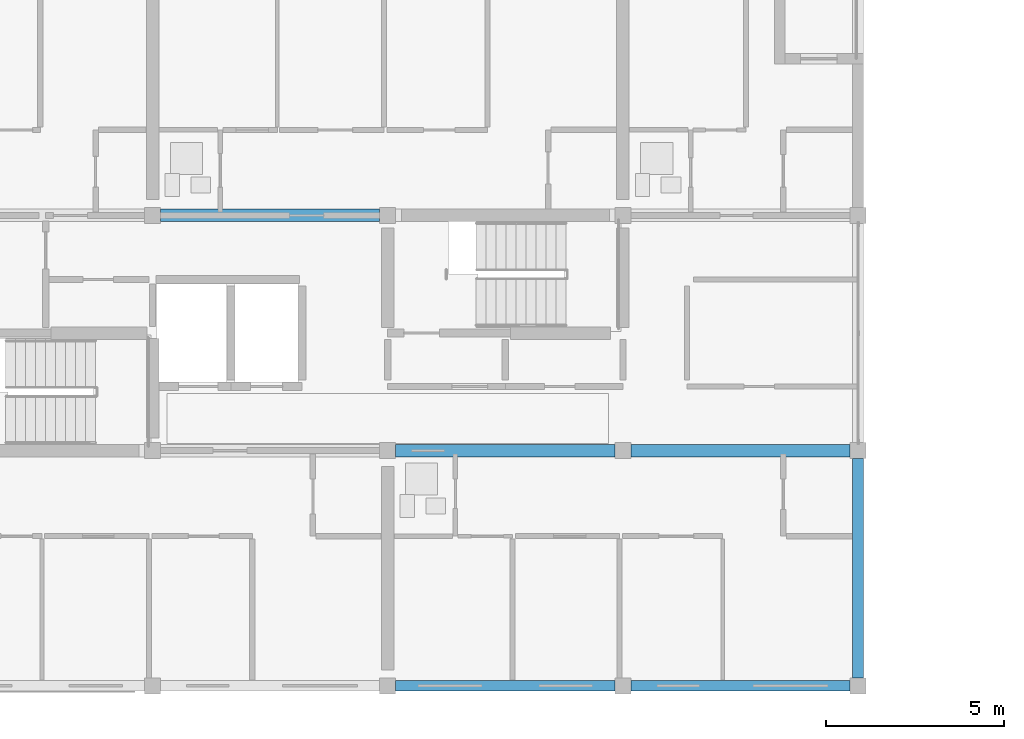
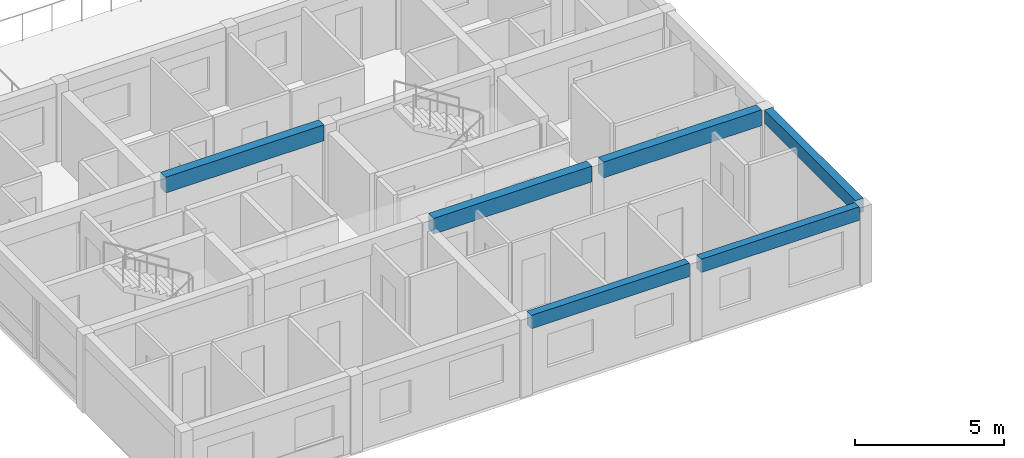
# One storey, part 6 of 51: 6 beams.
"""IFC4 building model written with IfcOpenShell, lengths in metres."""

import ifcopenshell
import ifcopenshell.guid

model = None  # the IFC model being written
_history = None  # IfcOwnerHistory: only IFC2X3 demands one
_inside = {}  # id of a spatial element -> (the spatial element, [elements in it])
_under = {}  # id of a project, library or spatial element -> (it, [spatial elements below it])
_declared = {}  # id of a project -> (the project, [libraries it declares])
_typed = {}  # id of a type object -> (the type object, [elements of that type])
_made_of = {}  # id of a material, layer set ... -> (it, [elements and type objects made of it])


def new_model(schema):
    """Start an empty IFC model of exactly this schema.

    Asked for "IFC4X3", IfcOpenShell would pick the latest addendum, in which some entities
    have other attributes; the version numbers below select the first issue.
    IFC2X3 requires an IfcOwnerHistory on every rooted entity: one is made here for all.
    """
    global model, _history
    if schema == "IFC4X3":
        model = ifcopenshell.file(schema_version=(4, 3, 0, 0))
    else:
        model = ifcopenshell.file(schema=schema)
    _inside.clear()
    _under.clear()
    _declared.clear()
    _typed.clear()
    _made_of.clear()
    _history = None
    if model.schema == "IFC2X3":
        org = make("IfcOrganization", Name="unknown")
        user = make(
            "IfcPersonAndOrganization",
            ThePerson=make("IfcPerson", FamilyName="unknown"),
            TheOrganization=org,
        )
        app = make(
            "IfcApplication",
            ApplicationDeveloper=org,
            Version="unknown",
            ApplicationFullName="unknown",
            ApplicationIdentifier="unknown",
        )
        _history = make(
            "IfcOwnerHistory",
            OwningUser=user,
            OwningApplication=app,
            ChangeAction="ADDED",
            CreationDate=0,
        )
    return model


def make(cls, **values):
    """One entity of the class cls with the attributes given. An attribute that is None is left unset."""
    return model.create_entity(
        cls, **{name: value for name, value in values.items() if value is not None}
    )


def rooted(cls, **values):
    """An entity with a GlobalId (a new one), such as an element, a storey or a relation."""
    return make(cls, GlobalId=ifcopenshell.guid.new(), OwnerHistory=_history, **values)


def si_unit(unit_type, name, prefix=None):
    """IfcSIUnit, for example si_unit("LENGTHUNIT", "METRE", prefix="MILLI")."""
    return make("IfcSIUnit", UnitType=unit_type, Prefix=prefix, Name=name)


def assignment(units):
    """IfcUnitAssignment: the units of a project."""
    return None if units is None else make("IfcUnitAssignment", Units=units)


def point(xyz):
    """IfcCartesianPoint."""
    return None if xyz is None else make("IfcCartesianPoint", Coordinates=xyz)


def direction(xyz):
    """IfcDirection."""
    return None if xyz is None else make("IfcDirection", DirectionRatios=xyz)


def frame(location, z_axis=None, x_axis=None):
    """IfcAxis2Placement3D, a coordinate frame: its origin and axes. An axis left out is left unset."""
    return make(
        "IfcAxis2Placement3D",
        Location=point(location),
        Axis=direction(z_axis),
        RefDirection=direction(x_axis),
    )


def frame_2d(location, x_axis=None):
    """IfcAxis2Placement2D, a coordinate frame in the plane: its origin and x axis."""
    return make(
        "IfcAxis2Placement2D", Location=point(location), RefDirection=direction(x_axis)
    )


def origin():
    """The frame at (0, 0, 0) with its axes left unset."""
    return frame((0.0, 0.0, 0.0))


def origin_2d():
    """The frame at (0, 0) in the plane with its x axis left unset."""
    return frame_2d((0.0, 0.0))


def place(relative_to, where):
    """IfcLocalPlacement: puts the frame where relative to a parent placement (None: the world)."""
    return make(
        "IfcLocalPlacement", PlacementRelTo=relative_to, RelativePlacement=where
    )


def context(
    kind, dimensions, precision=None, world=None, true_north=None, identifier=None
):
    """IfcGeometricRepresentationContext, for example the 3D "Model" context."""
    return make(
        "IfcGeometricRepresentationContext",
        ContextIdentifier=identifier,
        ContextType=kind,
        CoordinateSpaceDimension=dimensions,
        Precision=precision,
        WorldCoordinateSystem=world,
        TrueNorth=true_north,
    )


def subcontext(parent, identifier, kind, view, scale=None):
    """IfcGeometricRepresentationSubContext, for example "Body" below "Model"."""
    return make(
        "IfcGeometricRepresentationSubContext",
        ContextIdentifier=identifier,
        ContextType=kind,
        ParentContext=parent,
        TargetScale=scale,
        TargetView=view,
    )


def project(units=None, contexts=None):
    """IfcProject with its units and contexts."""
    return rooted(
        "IfcProject",
        Name="project",
        RepresentationContexts=contexts,
        UnitsInContext=assignment(units),
    )


def spatial(cls, under=None, at=None, **own):
    """A site, building, storey or space (cls), placed at a placement, below another one or the project."""
    s = rooted(cls, ObjectPlacement=at, **own)
    if under is not None:
        _under.setdefault(under.id(), (under, []))[1].append(s)
    return s


def profile(cls, at=None, kind="AREA", **sizes):
    """A parametric profile (cls). Its sizes go by their IFC names, for example OverallWidth=200.0."""
    return make(cls, ProfileType=kind, Position=at, **sizes)


def rectangle(**sizes):
    """IfcRectangleProfileDef."""
    return profile("IfcRectangleProfileDef", **sizes)


def extrude(swept, where, along, depth):
    """IfcExtrudedAreaSolid: the profile swept, set in the frame where, extruded along a direction by depth."""
    return make(
        "IfcExtrudedAreaSolid",
        SweptArea=swept,
        Position=where,
        ExtrudedDirection=direction(along),
        Depth=depth,
    )


def shape(context_of_items, identifier, shape_type, items):
    """IfcShapeRepresentation: the items that make up one representation, for example the "Body"."""
    return make(
        "IfcShapeRepresentation",
        ContextOfItems=context_of_items,
        RepresentationIdentifier=identifier,
        RepresentationType=shape_type,
        Items=items,
    )


def material(Name=None, Category=None):
    """IfcMaterial."""
    return make("IfcMaterial", Name=Name, Category=Category)


def material_profile(
    of_material, cross_section, Name=None, Category=None, Priority=None
):
    """IfcMaterialProfile: a cross section and its material."""
    return make(
        "IfcMaterialProfile",
        Name=Name,
        Material=of_material,
        Profile=cross_section,
        Priority=Priority,
        Category=Category,
    )


def profile_set(profiles, Name=None, composite=None):
    """IfcMaterialProfileSet."""
    return make(
        "IfcMaterialProfileSet",
        Name=Name,
        MaterialProfiles=profiles,
        CompositeProfile=composite,
    )


def made_of(thing, what):
    """Note that an element or type object is made of a material, layer set ...; save() writes the relation."""
    if what is not None:
        _made_of.setdefault(what.id(), (what, []))[1].append(thing)
    return thing


def type_object(cls, material=None, **own):
    """A type object (cls), such as IfcWallType, which elements share."""
    return made_of(rooted(cls, **own), material)


def element(
    cls,
    number,
    at=None,
    inside=None,
    cuts=None,
    type_object=None,
    material=None,
    context=None,
    identifier="Body",
    shape_type=None,
    held_by="IfcProductDefinitionShape",
    body=None,
    shapes=None,
    **own,
):
    """One element of the class cls, such as IfcWall. Its Tag is "e" and its number.

    at: its placement. inside: the storey or other place that contains it. cuts: it is an
    opening in that element (IfcRelVoidsElement). A single representation is given by context,
    identifier, shape_type and body (its items); several are given by shapes. held_by: the class
    of the entity that holds the representations. save() writes the other relations.
    """
    e = rooted(cls, Tag="e%d" % number, ObjectPlacement=at, **own)
    if body is not None:
        shapes = [shape(context, identifier, shape_type, body)]
    if shapes is not None:
        e.Representation = make(held_by, Representations=shapes)
    if inside is not None:
        _inside.setdefault(inside.id(), (inside, []))[1].append(e)
    if cuts is not None:
        rooted(
            "IfcRelVoidsElement", RelatingBuildingElement=cuts, RelatedOpeningElement=e
        )
    if type_object is not None:
        _typed.setdefault(type_object.id(), (type_object, []))[1].append(e)
    return made_of(e, material)


def aggregate(whole, parts):
    """IfcRelAggregates: a whole, such as a stair, and the parts it consists of."""
    return rooted("IfcRelAggregates", RelatingObject=whole, RelatedObjects=parts)


def save(model, path):
    """Write the relations noted so far, then the file.

    IfcRelAggregates (storeys below a building ...), IfcRelContainedInSpatialStructure (elements
    in a storey), IfcRelDefinesByType, IfcRelAssociatesMaterial and IfcRelDeclares: one each for
    every whole, place, type object, material and project.
    """
    for whole, parts in _under.values():
        aggregate(whole, parts)
    for where, things in _inside.values():
        rooted(
            "IfcRelContainedInSpatialStructure",
            RelatedElements=things,
            RelatingStructure=where,
        )
    for kind, things in _typed.values():
        rooted("IfcRelDefinesByType", RelatedObjects=things, RelatingType=kind)
    for what, things in _made_of.values():
        rooted("IfcRelAssociatesMaterial", RelatedObjects=things, RelatingMaterial=what)
    for by, libraries in _declared.values():
        rooted("IfcRelDeclares", RelatingContext=by, RelatedDefinitions=libraries)
    model.write(path)


model = new_model("IFC4")

# Units and contexts
model_context = context("Model", 3, precision=1e-05, world=origin(), true_north=direction((0.0, 1.0)))
body_context = subcontext(model_context, "Body", "Model", "MODEL_VIEW")
ifc_project = project(units=[si_unit("LENGTHUNIT", "METRE"), si_unit("AREAUNIT", "SQUARE_METRE"), si_unit("VOLUMEUNIT", "CUBIC_METRE"), si_unit("PLANEANGLEUNIT", "RADIAN"), si_unit("MASSUNIT", "GRAM", prefix="KILO")], contexts=[model_context])

# Site, building, storey
site_placement = place(None, origin())
site = spatial("IfcSite", under=ifc_project, at=site_placement, CompositionType="ELEMENT")
building_placement = place(site_placement, origin())
building = spatial("IfcBuilding", under=site, at=building_placement, Name="Kernevlak Ridge Housing Community", CompositionType="ELEMENT")
storey_placement = place(building_placement, frame((0.0, 0.0, 8.39990234375)))
storey = spatial("IfcBuildingStorey", under=building, at=storey_placement, Name="L02", CompositionType="ELEMENT", Elevation=8.39990234375)

# Beams
ifc_material = material(Name="Concrete C35/45", Category="concrete")
ifc_material_profile_1 = material_profile(ifc_material, rectangle(XDim=0.35009765625, YDim=0.64990234375, at=origin_2d()), Name="RC 350x650")
ifc_profile_set_1 = profile_set([ifc_material_profile_1], Name="Concrete C35/45")
beam_type_1 = type_object("IfcBeamType", Name="B-02", PredefinedType="BEAM", material=ifc_profile_set_1)
beam_1_placement = place(storey_placement, frame((29.02490234375, 22.199951171875, 2.875), z_axis=(1.0, 0.0, 0.0), x_axis=(0.0, 1.0, 0.0)))
element("IfcBeam", 1, at=beam_1_placement, inside=storey, type_object=beam_type_1, Name="Beam B-02 L02 1372", PredefinedType="BEAM", context=body_context, shape_type="SweptSolid", body=[
    extrude(rectangle(XDim=0.35009765625, YDim=0.64990234375, at=origin_2d()), origin(), (0.0, 0.0, 1.0), 6.150146484375),
])
for number, where, z_axis, x_axis, name in (
    (2, (35.625, 22.199951171875, 2.875), (1.0, 0.0, 0.0), (0.0, 1.0, 0.0), "Beam B-02 L02 1373"),
    (3, (22.425048828125, 28.800048828125, 2.875), (1.0, 0.0, 0.0), (0.0, 1.0, 0.0), "Beam B-02 L02 1375"),
):
    element("IfcBeam", number, at=place(storey_placement, frame(where, z_axis=z_axis, x_axis=x_axis)), inside=storey, type_object=beam_type_1, Name=name, PredefinedType="BEAM", context=body_context, shape_type="SweptSolid", body=[
        extrude(rectangle(XDim=0.35009765625, YDim=0.64990234375, at=origin_2d()), origin(), (0.0, 0.0, 1.0), 6.14990234375),
    ])
ifc_material_profile_2 = material_profile(ifc_material, rectangle(XDim=0.300048828125, YDim=0.550048828125, at=origin_2d()), Name="RC 300x550")
ifc_profile_set_2 = profile_set([ifc_material_profile_2], Name="Concrete C35/45")
beam_type_2 = type_object("IfcBeamType", Name="SP-01", PredefinedType="SPANDREL", material=ifc_profile_set_2)
beam_2_placement = place(storey_placement, frame((29.02490234375, 15.60009765625, 2.925048828125), z_axis=(1.0, 0.0, 0.0), x_axis=(0.0, 1.0, 0.0)))
element("IfcBeam", 4, at=beam_2_placement, inside=storey, type_object=beam_type_2, Name="Beam SP-01 L02 1368", PredefinedType="SPANDREL", context=body_context, shape_type="SweptSolid", body=[
    extrude(rectangle(XDim=0.300048828125, YDim=0.550048828125, at=origin_2d()), origin(), (0.0, 0.0, 1.0), 6.150146484375),
])
beam_3_placement = place(storey_placement, frame((35.625, 15.60009765625, 2.925048828125), z_axis=(1.0, 0.0, 0.0), x_axis=(0.0, 1.0, 0.0)))
element("IfcBeam", 5, at=beam_3_placement, inside=storey, type_object=beam_type_2, Name="Beam SP-01 L02 1369", PredefinedType="SPANDREL", context=body_context, shape_type="SweptSolid", body=[
    extrude(rectangle(XDim=0.300048828125, YDim=0.550048828125, at=origin_2d()), origin(), (0.0, 0.0, 1.0), 6.14990234375),
])
beam_4_placement = place(storey_placement, frame((42.0, 15.824951171875, 2.925048828125), z_axis=(0.0, 1.0, 0.0), x_axis=(-1.0, 0.0, 0.0)))
element("IfcBeam", 6, at=beam_4_placement, inside=storey, type_object=beam_type_2, Name="Beam SP-01 L02 1385", PredefinedType="SPANDREL", context=body_context, shape_type="SweptSolid", body=[
    extrude(rectangle(XDim=0.300048828125, YDim=0.550048828125, at=origin_2d()), origin(), (0.0, 0.0, 1.0), 6.150146484375),
])

save(model, "model.ifc")
